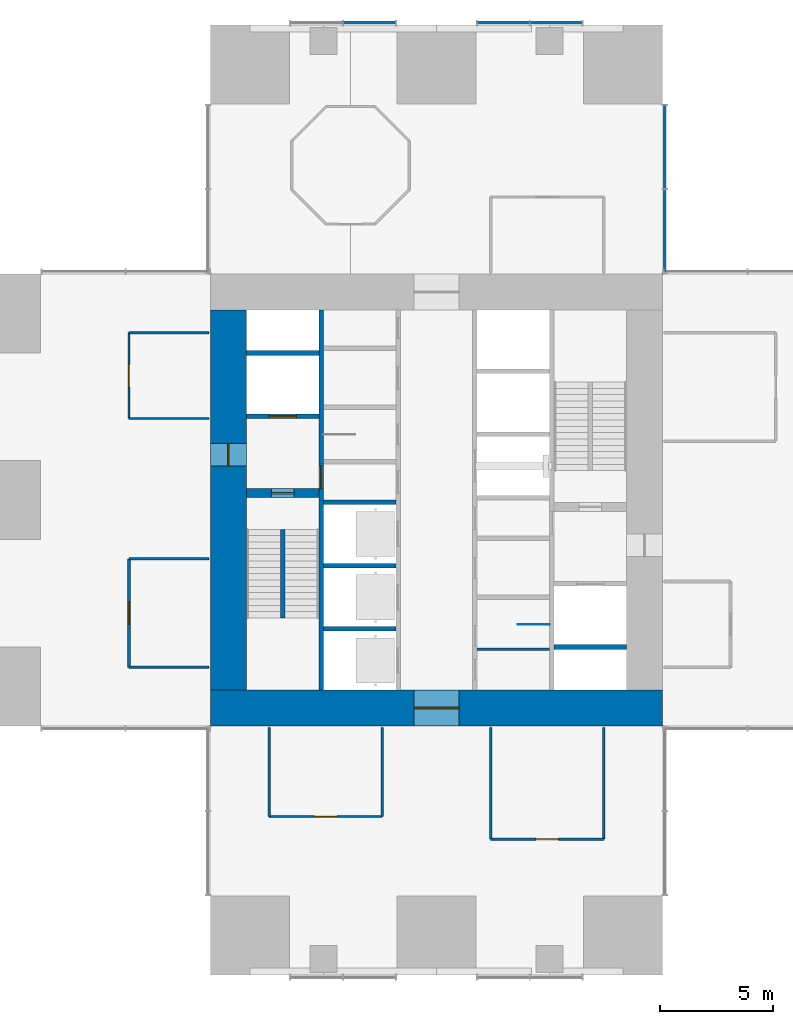
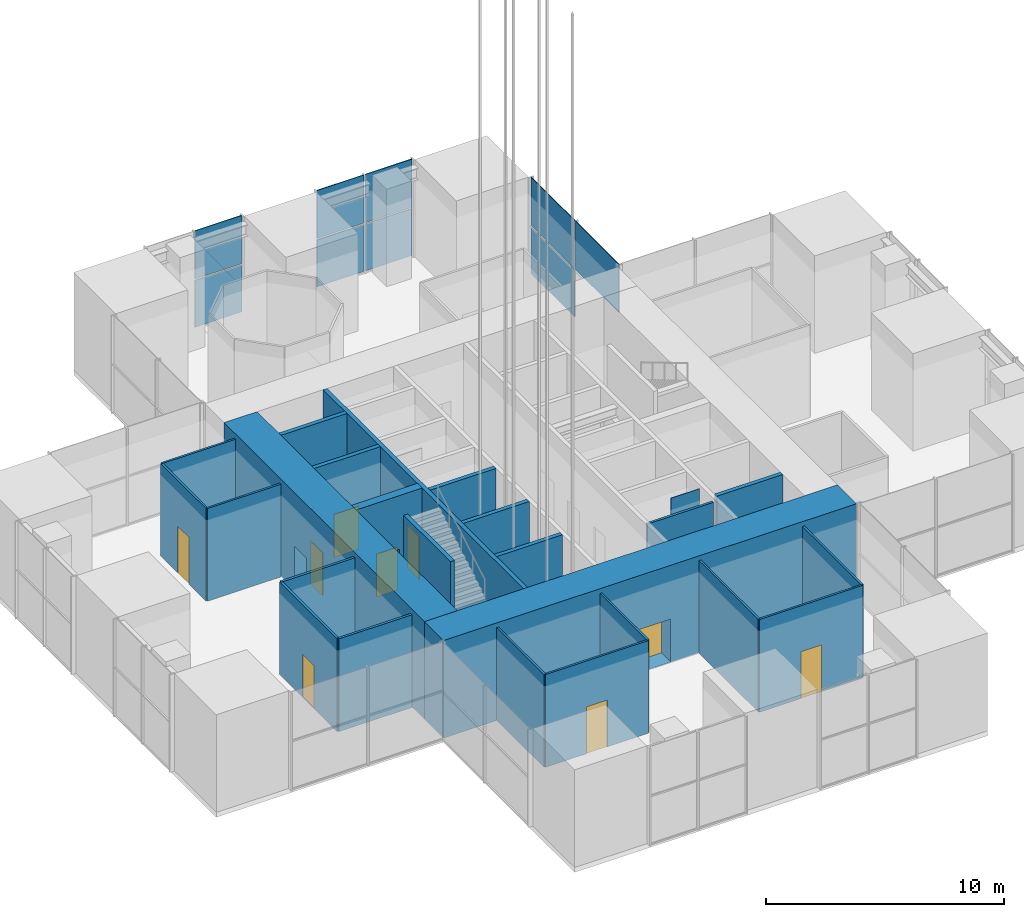
# One storey, part 5 of 16: 25 walls, 9 doors, 9 plates, 9 openings, 3 elements without a shape of their own.
"""IFC4 building model written with IfcOpenShell, lengths in metres."""

from ifc_helpers import new_model, si_unit, direction, frame, frame_2d, origin, origin_2d, place, context, subcontext, project, spatial, rectangle, extrude, material, layer, layer_set, type_object, element, fill, aggregate, save


model = new_model("IFC4")

# Units and contexts
model_context = context("Model", 3, precision=1e-05, world=origin(), true_north=direction((0.0, 1.0)))
body_context = subcontext(model_context, "Body", "Model", "MODEL_VIEW")
ifc_project = project(units=[si_unit("LENGTHUNIT", "METRE"), si_unit("AREAUNIT", "SQUARE_METRE"), si_unit("VOLUMEUNIT", "CUBIC_METRE"), si_unit("PLANEANGLEUNIT", "RADIAN"), si_unit("MASSUNIT", "GRAM", prefix="KILO")], contexts=[model_context])

# Site, building, storey
site_placement = place(None, origin())
site = spatial("IfcSite", under=ifc_project, at=site_placement, CompositionType="ELEMENT")
building_placement = place(site_placement, origin())
building = spatial("IfcBuilding", under=site, at=building_placement, Name="Svetlomir Tower", CompositionType="ELEMENT")
storey_placement = place(building_placement, frame((0.0, 0.0, 91.5)))
storey = spatial("IfcBuildingStorey", under=building, at=storey_placement, Name="L21", CompositionType="ELEMENT", Elevation=91.5)

# Curtain wall, plates
ifc_material_1 = material(Name="Bronze anodised aluminium curtain wall", Category="aluminium")
curtain_wall_type = type_object("IfcCurtainWallType", Name="CURTAIN WALL CW2 SKY LOBBY", PredefinedType="NOTDEFINED", material=ifc_material_1)
curtain_wall_1_placement = place(storey_placement, origin())
curtain_wall_1 = element("IfcCurtainWall", 1, at=curtain_wall_1_placement, inside=storey, type_object=curtain_wall_type, Name="Curtain wall CW2 L21", PredefinedType="NOTDEFINED")
ifc_material_2 = material(Name="Tinted double glazed unit", Category="glass")
ifc_layer_1 = layer(ifc_material_2, 0.035888671875)
ifc_layer_set_1 = layer_set([ifc_layer_1], Name="Tinted double glazed unit")
plate_type = type_object("IfcPlateType", Name="CW2 GLAZED PANEL 36", PredefinedType="CURTAIN_PANEL", material=ifc_layer_set_1)
plate_1_placement = place(storey_placement, frame((31.10009765625, 32.891357421875, 2.53271484375), z_axis=(0.0, 0.0, 1.0), x_axis=(0.0, 1.0, 0.0)))
plate_1 = element("IfcPlate", 2, at=plate_1_placement, type_object=plate_type, Name="CW2 panel 1.2", PredefinedType="CURTAIN_PANEL", context=body_context, shape_type="SweptSolid", body=[
    extrude(rectangle(XDim=3.652587890625, YDim=0.035888671875, at=origin_2d()), origin(), (0.0, 0.0, 1.0), 2.467529296875),
])
plate_2_placement = place(storey_placement, frame((31.10009765625, 36.608642578125, 0.06494140625), z_axis=(0.0, 0.0, 1.0), x_axis=(0.0, 1.0, 0.0)))
plate_2 = element("IfcPlate", 3, at=plate_2_placement, type_object=plate_type, Name="CW2 panel 2.1", PredefinedType="CURTAIN_PANEL", context=body_context, shape_type="SweptSolid", body=[
    extrude(rectangle(XDim=3.652587890625, YDim=0.035888671875, at=origin_2d()), origin(), (0.0, 0.0, 1.0), 2.402587890625),
])
plate_3_placement = place(storey_placement, frame((31.10009765625, 36.608642578125, 2.53271484375), z_axis=(0.0, 0.0, 1.0), x_axis=(0.0, 1.0, 0.0)))
plate_3 = element("IfcPlate", 4, at=plate_3_placement, type_object=plate_type, Name="CW2 panel 2.2", PredefinedType="CURTAIN_PANEL", context=body_context, shape_type="SweptSolid", body=[
    extrude(rectangle(XDim=3.652587890625, YDim=0.035888671875, at=origin_2d()), origin(), (0.0, 0.0, 1.0), 2.467529296875),
])
aggregate(curtain_wall_1, [plate_1, plate_2, plate_3])

curtain_wall_2_placement = place(storey_placement, origin())
curtain_wall_2 = element("IfcCurtainWall", 5, at=curtain_wall_2_placement, inside=storey, type_object=curtain_wall_type, Name="Curtain wall CW2 L21", PredefinedType="NOTDEFINED")
plate_4_placement = place(storey_placement, frame((26.296142578125, 42.10009765625, 0.06494140625), z_axis=(0.0, 0.0, 1.0), x_axis=(-1.0, 0.0, 0.0)))
plate_4 = element("IfcPlate", 6, at=plate_4_placement, type_object=plate_type, Name="CW2 panel 1.1", PredefinedType="CURTAIN_PANEL", context=body_context, shape_type="SweptSolid", body=[
    extrude(rectangle(XDim=2.277587890625, YDim=0.035888671875, at=origin_2d()), origin(), (0.0, 0.0, 1.0), 2.402587890625),
])
plate_5_placement = place(storey_placement, frame((26.296142578125, 42.10009765625, 2.53271484375), z_axis=(0.0, 0.0, 1.0), x_axis=(-1.0, 0.0, 0.0)))
plate_5 = element("IfcPlate", 7, at=plate_5_placement, type_object=plate_type, Name="CW2 panel 1.2", PredefinedType="CURTAIN_PANEL", context=body_context, shape_type="SweptSolid", body=[
    extrude(rectangle(XDim=2.277587890625, YDim=0.035888671875, at=origin_2d()), origin(), (0.0, 0.0, 1.0), 2.467529296875),
])
plate_6_placement = place(storey_placement, frame((23.953857421875, 42.10009765625, 0.06494140625), z_axis=(0.0, 0.0, 1.0), x_axis=(-1.0, 0.0, 0.0)))
plate_6 = element("IfcPlate", 8, at=plate_6_placement, type_object=plate_type, Name="CW2 panel 2.1", PredefinedType="CURTAIN_PANEL", context=body_context, shape_type="SweptSolid", body=[
    extrude(rectangle(XDim=2.277587890625, YDim=0.035888671875, at=origin_2d()), origin(), (0.0, 0.0, 1.0), 2.402587890625),
])
plate_7_placement = place(storey_placement, frame((23.953857421875, 42.10009765625, 2.53271484375), z_axis=(0.0, 0.0, 1.0), x_axis=(-1.0, 0.0, 0.0)))
plate_7 = element("IfcPlate", 9, at=plate_7_placement, type_object=plate_type, Name="CW2 panel 2.2", PredefinedType="CURTAIN_PANEL", context=body_context, shape_type="SweptSolid", body=[
    extrude(rectangle(XDim=2.277587890625, YDim=0.035888671875, at=origin_2d()), origin(), (0.0, 0.0, 1.0), 2.467529296875),
])
aggregate(curtain_wall_2, [plate_4, plate_5, plate_6, plate_7])

curtain_wall_3_placement = place(storey_placement, origin())
curtain_wall_3 = element("IfcCurtainWall", 10, at=curtain_wall_3_placement, inside=storey, type_object=curtain_wall_type, Name="Curtain wall CW2 L21", PredefinedType="NOTDEFINED")
plate_8_placement = place(storey_placement, frame((18.046142578125, 42.10009765625, 0.06494140625), z_axis=(0.0, 0.0, 1.0), x_axis=(-1.0, 0.0, 0.0)))
plate_8 = element("IfcPlate", 11, at=plate_8_placement, type_object=plate_type, Name="CW2 panel 1.1", PredefinedType="CURTAIN_PANEL", context=body_context, shape_type="SweptSolid", body=[
    extrude(rectangle(XDim=2.277587890625, YDim=0.035888671875, at=origin_2d()), origin(), (0.0, 0.0, 1.0), 2.402587890625),
])
plate_9_placement = place(storey_placement, frame((18.046142578125, 42.10009765625, 2.53271484375), z_axis=(0.0, 0.0, 1.0), x_axis=(-1.0, 0.0, 0.0)))
plate_9 = element("IfcPlate", 12, at=plate_9_placement, type_object=plate_type, Name="CW2 panel 1.2", PredefinedType="CURTAIN_PANEL", context=body_context, shape_type="SweptSolid", body=[
    extrude(rectangle(XDim=2.277587890625, YDim=0.035888671875, at=origin_2d()), origin(), (0.0, 0.0, 1.0), 2.467529296875),
])
aggregate(curtain_wall_3, [plate_8, plate_9])

# Wall, opening, door
ifc_material_3 = material(Name="Concrete C60/75", Category="concrete")
ifc_layer_2 = layer(ifc_material_3, 0.199951171875)
ifc_layer_set_2 = layer_set([ifc_layer_2], Name="Concrete C60/75")
wall_type_1 = type_object("IfcWallType", Name="CORE INNER WALL 200", PredefinedType="SHEAR", material=ifc_layer_set_2)
wall_1_placement = place(storey_placement, frame((15.89990234375, 12.60009765625, -0.050048828125), z_axis=(0.0, 0.0, 1.0), x_axis=(0.0, 1.0, 0.0)))
wall_1 = element("IfcWall", 13, at=wall_1_placement, inside=storey, type_object=wall_type_1, Name="Core inner wall 15.9 L21", PredefinedType="SHEAR", context=body_context, shape_type="SweptSolid", body=[
    extrude(rectangle(XDim=16.7998046875, YDim=0.199951171875, at=frame_2d((8.39990234375, 0.0))), origin(), (0.0, 0.0, 1.0), 5.0),
])
opening_1_placement = place(wall_1_placement, frame((8.89990234375, 0.0, 0.050048828125)))
opening_1 = element("IfcOpeningElement", 14, at=opening_1_placement, cuts=wall_1, Name="Opening DF", PredefinedType="OPENING", context=body_context, shape_type="SweptSolid", body=[
    extrude(rectangle(XDim=1.0, YDim=2.199951171875, at=frame_2d((0.5, 1.10009765625))), frame((0.0, 0.10986328125, 0.0), z_axis=(0.0, -1.0, 0.0), x_axis=(1.0, 0.0, 0.0)), (0.0, 0.0, 1.0), 0.219970703125),
])
ifc_material_4 = material(Name="Steel fire door", Category="steel")
door_type_1 = type_object("IfcDoorType", Name="DOOR DF 1000x2200", OperationType="SINGLE_SWING_LEFT", PredefinedType="DOOR", material=ifc_material_4)
door_1_placement = place(opening_1_placement, origin())
door_1 = element("IfcDoor", 15, at=door_1_placement, inside=storey, type_object=door_type_1, Name="Core corridor west door L21", OperationType="SINGLE_SWING_LEFT", OverallHeight=2.199951171875, OverallWidth=1.0, PredefinedType="DOOR", context=body_context, shape_type="SweptSolid", body=[
    extrude(rectangle(XDim=1.0, YDim=2.199951171875, at=frame_2d((0.5, 1.10009765625))), frame((0.0, 0.02490234375, 0.0), z_axis=(0.0, -1.0, 0.0), x_axis=(1.0, 0.0, 0.0)), (0.0, 0.0, 1.0), 0.050048828125),
])
fill(opening_1, door_1)

wall_2_placement = place(storey_placement, frame((12.60009765625, 24.699951171875, -0.050048828125), z_axis=(0.0, 0.0, 1.0), x_axis=(1.0, 0.0, 0.0)))
wall_2 = element("IfcWall", 16, at=wall_2_placement, inside=storey, type_object=wall_type_1, Name="Core inner wall 12.6-15.8/24.7 L21", PredefinedType="SHEAR", context=body_context, shape_type="SweptSolid", body=[
    extrude(rectangle(XDim=3.199951171875, YDim=0.199951171875, at=frame_2d((1.60009765625, 0.0))), origin(), (0.0, 0.0, 1.0), 5.0),
])
opening_2_placement = place(wall_2_placement, frame((1.0, 0.0, 0.050048828125)))
opening_2 = element("IfcOpeningElement", 17, at=opening_2_placement, cuts=wall_2, Name="Opening LD3", PredefinedType="OPENING", context=body_context, shape_type="SweptSolid", body=[
    extrude(rectangle(XDim=1.199951171875, YDim=2.199951171875, at=frame_2d((0.60009765625, 1.10009765625))), frame((0.0, 0.10986328125, 0.0), z_axis=(0.0, -1.0, 0.0), x_axis=(1.0, 0.0, 0.0)), (0.0, 0.0, 1.0), 0.219970703125),
])
ifc_material_5 = material(Name="Stainless steel fire-rated landing door", Category="steel")
door_type_2 = type_object("IfcDoorType", Name="FIREFIGHTING LIFT LANDING DOOR LD3 1200x2200", OperationType="DOUBLE_DOOR_SLIDING", PredefinedType="DOOR", material=ifc_material_5)
door_2_placement = place(opening_2_placement, origin())
door_2 = element("IfcDoor", 18, at=door_2_placement, inside=storey, type_object=door_type_2, Name="Landing door lift FL1 L21", OperationType="DOUBLE_DOOR_SLIDING", OverallHeight=2.199951171875, OverallWidth=1.199951171875, PredefinedType="DOOR", context=body_context, shape_type="SweptSolid", body=[
    extrude(rectangle(XDim=1.199951171875, YDim=2.199951171875, at=frame_2d((0.60009765625, 1.10009765625))), frame((0.0, 0.02490234375, 0.0), z_axis=(0.0, -1.0, 0.0), x_axis=(1.0, 0.0, 0.0)), (0.0, 0.0, 1.0), 0.050048828125),
])
fill(opening_2, door_2)

# Walls
for number, where, z_axis, x_axis, name in (
    (19, (12.60009765625, 27.5, -0.050048828125), (0.0, 0.0, 1.0), (1.0, 0.0, 0.0), "Core inner wall 12.6-15.8/27.5 L21"),
    (20, (16.0, 15.300048828125, -0.050048828125), (0.0, 0.0, 1.0), (1.0, 0.0, 0.0), "Core inner wall 16-19.2/15.3 L21"),
    (21, (16.0, 18.10009765625, -0.050048828125), (0.0, 0.0, 1.0), (1.0, 0.0, 0.0), "Core inner wall 16-19.2/18.1 L21"),
    (22, (16.0, 20.89990234375, -0.050048828125), (0.0, 0.0, 1.0), (1.0, 0.0, 0.0), "Core inner wall 16-19.2/20.9 L21"),
    (23, (26.199951171875, 14.5, -0.050048828125), (0.0, 0.0, 1.0), (1.0, 0.0, 0.0), "Core inner wall 26.2-29.4/14.5 L21"),
):
    element("IfcWall", number, at=place(storey_placement, frame(where, z_axis=z_axis, x_axis=x_axis)), inside=storey, type_object=wall_type_1, Name=name, PredefinedType="SHEAR", context=body_context, shape_type="SweptSolid", body=[
        extrude(rectangle(XDim=3.199951171875, YDim=0.199951171875, at=frame_2d((1.60009765625, 0.0))), origin(), (0.0, 0.0, 1.0), 5.0),
    ])

# Wall, opening, door
ifc_material_6 = material(Name="Concrete C60/75", Category="concrete")
ifc_layer_3 = layer(ifc_material_6, 0.39990234375)
ifc_layer_set_3 = layer_set([ifc_layer_3], Name="Concrete C60/75")
wall_type_2 = type_object("IfcWallType", Name="CORE OUTRIGGER WALL 400", PredefinedType="SHEAR", material=ifc_layer_set_3)
wall_3_placement = place(storey_placement, frame((12.60009765625, 21.300048828125, -0.050048828125), z_axis=(0.0, 0.0, 1.0), x_axis=(1.0, 0.0, 0.0)))
wall_3 = element("IfcWall", 24, at=wall_3_placement, inside=storey, type_object=wall_type_2, Name="Core outrigger wall 12.6-15.8/21.3 L21", PredefinedType="SHEAR", context=body_context, shape_type="SweptSolid", body=[
    extrude(rectangle(XDim=3.199951171875, YDim=0.39990234375, at=frame_2d((1.60009765625, 0.0))), origin(), (0.0, 0.0, 1.0), 5.0),
])
opening_3_placement = place(wall_3_placement, frame((1.10009765625, 0.0, 0.050048828125)))
opening_3 = element("IfcOpeningElement", 25, at=opening_3_placement, cuts=wall_3, Name="Opening DF", PredefinedType="OPENING", context=body_context, shape_type="SweptSolid", body=[
    extrude(rectangle(XDim=1.0, YDim=2.199951171875, at=frame_2d((0.5, 1.10009765625))), frame((0.0, 0.2099609375, 0.0), z_axis=(0.0, -1.0, 0.0), x_axis=(1.0, 0.0, 0.0)), (0.0, 0.0, 1.0), 0.419921875),
])
door_3_placement = place(opening_3_placement, origin())
door_3 = element("IfcDoor", 26, at=door_3_placement, inside=storey, type_object=door_type_1, Name="Stair S1 door L21", OperationType="SINGLE_SWING_RIGHT", OverallHeight=2.199951171875, OverallWidth=1.0, PredefinedType="DOOR", context=body_context, shape_type="SweptSolid", body=[
    extrude(rectangle(XDim=1.0, YDim=2.199951171875, at=frame_2d((0.5, 1.10009765625))), frame((0.0, 0.02490234375, 0.0), z_axis=(0.0, -1.0, 0.0), x_axis=(1.0, 0.0, 0.0)), (0.0, 0.0, 1.0), 0.050048828125),
])
fill(opening_3, door_3)

ifc_material_7 = material(Name="Concrete C60/75", Category="concrete")
ifc_layer_4 = layer(ifc_material_7, 1.60009765625)
ifc_layer_set_4 = layer_set([ifc_layer_4], Name="Concrete C60/75")
wall_type_3 = type_object("IfcWallType", Name="CORE WALL 1600", PredefinedType="SHEAR", material=ifc_layer_set_4)
wall_4_placement = place(storey_placement, frame((11.0, 11.800048828125, -0.050048828125), z_axis=(0.0, 0.0, 1.0), x_axis=(1.0, 0.0, 0.0)))
wall_4 = element("IfcWall", 27, at=wall_4_placement, inside=storey, type_object=wall_type_3, Name="Core wall south L21", PredefinedType="SHEAR", context=body_context, shape_type="SweptSolid", body=[
    extrude(rectangle(XDim=20.0, YDim=1.60009765625, at=frame_2d((10.0, 0.0))), origin(), (0.0, 0.0, 1.0), 5.0),
])
opening_4_placement = place(wall_4_placement, frame((9.0, 0.0, 0.050048828125)))
opening_4 = element("IfcOpeningElement", 28, at=opening_4_placement, cuts=wall_4, Name="Opening DL", PredefinedType="OPENING", context=body_context, shape_type="SweptSolid", body=[
    extrude(rectangle(XDim=2.0, YDim=2.199951171875, at=frame_2d((1.0, 1.10009765625))), frame((0.0, 0.81005859375, 0.0), z_axis=(0.0, -1.0, 0.0), x_axis=(1.0, 0.0, 0.0)), (0.0, 0.0, 1.0), 1.6201171875),
])
ifc_material_8 = material(Name="Steel fire door", Category="steel")
door_type_3 = type_object("IfcDoorType", Name="DOOR DL 2000x2200", OperationType="DOUBLE_DOOR_SINGLE_SWING", PredefinedType="DOOR", material=ifc_material_8)
door_4_placement = place(opening_4_placement, origin())
door_4 = element("IfcDoor", 29, at=door_4_placement, inside=storey, type_object=door_type_3, Name="Lift lobby south door L21", OperationType="DOUBLE_DOOR_SINGLE_SWING", OverallHeight=2.199951171875, OverallWidth=2.0, PredefinedType="DOOR", context=body_context, shape_type="SweptSolid", body=[
    extrude(rectangle(XDim=2.0, YDim=2.199951171875, at=frame_2d((1.0, 1.10009765625))), frame((0.0, 0.02490234375, 0.0), z_axis=(0.0, -1.0, 0.0), x_axis=(1.0, 0.0, 0.0)), (0.0, 0.0, 1.0), 0.050048828125),
])
fill(opening_4, door_4)

wall_5_placement = place(storey_placement, frame((11.800048828125, 12.60009765625, -0.050048828125), z_axis=(0.0, 0.0, 1.0), x_axis=(0.0, 1.0, 0.0)))
wall_5 = element("IfcWall", 30, at=wall_5_placement, inside=storey, type_object=wall_type_3, Name="Core wall west L21", PredefinedType="SHEAR", context=body_context, shape_type="SweptSolid", body=[
    extrude(rectangle(XDim=16.7998046875, YDim=1.60009765625, at=frame_2d((8.39990234375, 0.0))), origin(), (0.0, 0.0, 1.0), 5.0),
])
opening_5_placement = place(wall_5_placement, frame((9.89990234375, 0.0, 0.050048828125)))
opening_5 = element("IfcOpeningElement", 31, at=opening_5_placement, cuts=wall_5, Name="Opening DF", PredefinedType="OPENING", context=body_context, shape_type="SweptSolid", body=[
    extrude(rectangle(XDim=1.0, YDim=2.199951171875, at=frame_2d((0.5, 1.10009765625))), frame((0.0, 0.81005859375, 0.0), z_axis=(0.0, -1.0, 0.0), x_axis=(1.0, 0.0, 0.0)), (0.0, 0.0, 1.0), 1.6201171875),
])
door_5_placement = place(opening_5_placement, origin())
door_5 = element("IfcDoor", 32, at=door_5_placement, inside=storey, type_object=door_type_1, Name="Firefighting lobby west door L21", OperationType="SINGLE_SWING_LEFT", OverallHeight=2.199951171875, OverallWidth=1.0, PredefinedType="DOOR", context=body_context, shape_type="SweptSolid", body=[
    extrude(rectangle(XDim=1.0, YDim=2.199951171875, at=frame_2d((0.5, 1.10009765625))), frame((0.0, 0.02490234375, 0.0), z_axis=(0.0, -1.0, 0.0), x_axis=(1.0, 0.0, 0.0)), (0.0, 0.0, 1.0), 0.050048828125),
])
fill(opening_5, door_5)

ifc_material_9 = material(Name="Framed laminated glass partition", Category="glass")
ifc_layer_5 = layer(ifc_material_9, 0.10009765625)
ifc_layer_set_5 = layer_set([ifc_layer_5], Name="Framed laminated glass partition")
wall_type_4 = type_object("IfcWallType", Name="GLAZED PARTITION 100", PredefinedType="PARTITIONING", material=ifc_layer_set_5)
wall_6_placement = place(storey_placement, frame((7.39990234375, 24.60009765625, 0.0), z_axis=(0.0, 0.0, 1.0), x_axis=(0.0, 1.0, 0.0)))
wall_6 = element("IfcWall", 33, at=wall_6_placement, inside=storey, type_object=wall_type_4, Name="Glazed partition L21", PredefinedType="PARTITIONING", context=body_context, shape_type="SweptSolid", body=[
    extrude(rectangle(XDim=3.7998046875, YDim=0.10009765625, at=frame_2d((1.89990234375, 0.0))), origin(), (0.0, 0.0, 1.0), 4.75),
])
opening_6_placement = place(wall_6_placement, frame((1.39990234375, 0.0, 0.0)))
opening_6 = element("IfcOpeningElement", 34, at=opening_6_placement, cuts=wall_6, Name="Opening DG", PredefinedType="OPENING", context=body_context, shape_type="SweptSolid", body=[
    extrude(rectangle(XDim=1.0, YDim=2.39990234375, at=frame_2d((0.5, 1.199951171875))), frame((0.0, 0.06005859375, 0.0), z_axis=(0.0, -1.0, 0.0), x_axis=(1.0, 0.0, 0.0)), (0.0, 0.0, 1.0), 0.1201171875),
])
ifc_material_10 = material(Name="Framed laminated glass door", Category="glass")
door_type_4 = type_object("IfcDoorType", Name="GLAZED DOOR DG 1000x2400", OperationType="SINGLE_SWING_LEFT", PredefinedType="DOOR", material=ifc_material_10)
door_6_placement = place(opening_6_placement, origin())
door_6 = element("IfcDoor", 35, at=door_6_placement, inside=storey, type_object=door_type_4, Name="Hospitality pantry door L21", OperationType="SINGLE_SWING_RIGHT", OverallHeight=2.39990234375, OverallWidth=1.0, PredefinedType="DOOR", context=body_context, shape_type="SweptSolid", body=[
    extrude(rectangle(XDim=1.0, YDim=2.39990234375, at=frame_2d((0.5, 1.199951171875))), frame((0.0, 0.02490234375, 0.0), z_axis=(0.0, -1.0, 0.0), x_axis=(1.0, 0.0, 0.0)), (0.0, 0.0, 1.0), 0.050048828125),
])
fill(opening_6, door_6)

# Walls
for number, where, z_axis, x_axis, name in (
    (36, (7.39990234375, 24.60009765625, 0.0), (0.0, 0.0, 1.0), (1.0, 0.0, 0.0), "Glazed partition L21"),
    (37, (7.39990234375, 28.39990234375, 0.0), (0.0, 0.0, 1.0), (1.0, 0.0, 0.0), "Glazed partition L21"),
):
    element("IfcWall", number, at=place(storey_placement, frame(where, z_axis=z_axis, x_axis=x_axis)), inside=storey, type_object=wall_type_4, Name=name, PredefinedType="PARTITIONING", context=body_context, shape_type="SweptSolid", body=[
        extrude(rectangle(XDim=3.550048828125, YDim=0.10009765625, at=frame_2d((1.77490234375, 0.0))), origin(), (0.0, 0.0, 1.0), 4.75),
    ])
wall_7_placement = place(storey_placement, frame((13.60009765625, 7.0, 0.0), z_axis=(0.0, 0.0, 1.0), x_axis=(0.0, 1.0, 0.0)))
element("IfcWall", 38, at=wall_7_placement, inside=storey, type_object=wall_type_4, Name="Glazed partition L21", PredefinedType="PARTITIONING", context=body_context, shape_type="SweptSolid", body=[
    extrude(rectangle(XDim=3.949951171875, YDim=0.10009765625, at=frame_2d((1.97509765625, 0.0))), origin(), (0.0, 0.0, 1.0), 4.75),
])

# Wall, opening, door
wall_8_placement = place(storey_placement, frame((13.60009765625, 7.0, 0.0), z_axis=(0.0, 0.0, 1.0), x_axis=(1.0, 0.0, 0.0)))
wall_8 = element("IfcWall", 39, at=wall_8_placement, inside=storey, type_object=wall_type_4, Name="Glazed partition L21", PredefinedType="PARTITIONING", context=body_context, shape_type="SweptSolid", body=[
    extrude(rectangle(XDim=5.0, YDim=0.10009765625, at=frame_2d((2.5, 0.0))), origin(), (0.0, 0.0, 1.0), 4.75),
])
opening_7_placement = place(wall_8_placement, frame((2.0, 0.0, 0.0)))
opening_7 = element("IfcOpeningElement", 40, at=opening_7_placement, cuts=wall_8, Name="Opening DG", PredefinedType="OPENING", context=body_context, shape_type="SweptSolid", body=[
    extrude(rectangle(XDim=1.0, YDim=2.39990234375, at=frame_2d((0.5, 1.199951171875))), frame((0.0, 0.06005859375, 0.0), z_axis=(0.0, -1.0, 0.0), x_axis=(1.0, 0.0, 0.0)), (0.0, 0.0, 1.0), 0.1201171875),
])
door_7_placement = place(opening_7_placement, origin())
door_7 = element("IfcDoor", 41, at=door_7_placement, inside=storey, type_object=door_type_4, Name="Client meeting room, 8 seats door L21", OperationType="SINGLE_SWING_LEFT", OverallHeight=2.39990234375, OverallWidth=1.0, PredefinedType="DOOR", context=body_context, shape_type="SweptSolid", body=[
    extrude(rectangle(XDim=1.0, YDim=2.39990234375, at=frame_2d((0.5, 1.199951171875))), frame((0.0, 0.02490234375, 0.0), z_axis=(0.0, -1.0, 0.0), x_axis=(1.0, 0.0, 0.0)), (0.0, 0.0, 1.0), 0.050048828125),
])
fill(opening_7, door_7)

# Walls
wall_9_placement = place(storey_placement, frame((18.60009765625, 7.0, 0.0), z_axis=(0.0, 0.0, 1.0), x_axis=(0.0, 1.0, 0.0)))
element("IfcWall", 42, at=wall_9_placement, inside=storey, type_object=wall_type_4, Name="Glazed partition L21", PredefinedType="PARTITIONING", context=body_context, shape_type="SweptSolid", body=[
    extrude(rectangle(XDim=3.949951171875, YDim=0.10009765625, at=frame_2d((1.97509765625, 0.0))), origin(), (0.0, 0.0, 1.0), 4.75),
])
wall_10_placement = place(storey_placement, frame((23.39990234375, 6.0, 0.0), z_axis=(0.0, 0.0, 1.0), x_axis=(0.0, 1.0, 0.0)))
element("IfcWall", 43, at=wall_10_placement, inside=storey, type_object=wall_type_4, Name="Glazed partition L21", PredefinedType="PARTITIONING", context=body_context, shape_type="SweptSolid", body=[
    extrude(rectangle(XDim=4.949951171875, YDim=0.10009765625, at=frame_2d((2.47509765625, 0.0))), origin(), (0.0, 0.0, 1.0), 4.75),
])

# Wall, opening, door
wall_11_placement = place(storey_placement, frame((23.39990234375, 6.0, 0.0), z_axis=(0.0, 0.0, 1.0), x_axis=(1.0, 0.0, 0.0)))
wall_11 = element("IfcWall", 44, at=wall_11_placement, inside=storey, type_object=wall_type_4, Name="Glazed partition L21", PredefinedType="PARTITIONING", context=body_context, shape_type="SweptSolid", body=[
    extrude(rectangle(XDim=5.0, YDim=0.10009765625, at=frame_2d((2.5, 0.0))), origin(), (0.0, 0.0, 1.0), 4.75),
])
opening_8_placement = place(wall_11_placement, frame((2.0, 0.0, 0.0)))
opening_8 = element("IfcOpeningElement", 45, at=opening_8_placement, cuts=wall_11, Name="Opening DG", PredefinedType="OPENING", context=body_context, shape_type="SweptSolid", body=[
    extrude(rectangle(XDim=1.0, YDim=2.39990234375, at=frame_2d((0.5, 1.199951171875))), frame((0.0, 0.06005859375, 0.0), z_axis=(0.0, -1.0, 0.0), x_axis=(1.0, 0.0, 0.0)), (0.0, 0.0, 1.0), 0.1201171875),
])
door_8_placement = place(opening_8_placement, origin())
door_8 = element("IfcDoor", 46, at=door_8_placement, inside=storey, type_object=door_type_4, Name="Client meeting room, 12 seats door L21", OperationType="SINGLE_SWING_RIGHT", OverallHeight=2.39990234375, OverallWidth=1.0, PredefinedType="DOOR", context=body_context, shape_type="SweptSolid", body=[
    extrude(rectangle(XDim=1.0, YDim=2.39990234375, at=frame_2d((0.5, 1.199951171875))), frame((0.0, 0.02490234375, 0.0), z_axis=(0.0, -1.0, 0.0), x_axis=(1.0, 0.0, 0.0)), (0.0, 0.0, 1.0), 0.050048828125),
])
fill(opening_8, door_8)

# Walls
wall_12_placement = place(storey_placement, frame((28.39990234375, 6.0, 0.0), z_axis=(0.0, 0.0, 1.0), x_axis=(0.0, 1.0, 0.0)))
element("IfcWall", 47, at=wall_12_placement, inside=storey, type_object=wall_type_4, Name="Glazed partition L21", PredefinedType="PARTITIONING", context=body_context, shape_type="SweptSolid", body=[
    extrude(rectangle(XDim=4.949951171875, YDim=0.10009765625, at=frame_2d((2.47509765625, 0.0))), origin(), (0.0, 0.0, 1.0), 4.75),
])
ifc_material_11 = material(Name="Gypsum board on steel studs", Category="steel")
ifc_layer_6 = layer(ifc_material_11, 0.1201171875)
ifc_layer_set_6 = layer_set([ifc_layer_6], Name="Gypsum board on steel studs")
wall_type_5 = type_object("IfcWallType", Name="PARTITION 120", PredefinedType="PARTITIONING", material=ifc_layer_set_6)
wall_13_placement = place(storey_placement, frame((22.800048828125, 14.39990234375, 0.0), z_axis=(0.0, 0.0, 1.0), x_axis=(1.0, 0.0, 0.0)))
element("IfcWall", 48, at=wall_13_placement, inside=storey, type_object=wall_type_5, Name="Floor store partition L21", PredefinedType="PARTITIONING", context=body_context, shape_type="SweptSolid", body=[
    extrude(rectangle(XDim=3.199951171875, YDim=0.1201171875, at=frame_2d((1.60009765625, 0.0))), origin(), (0.0, 0.0, 1.0), 4.75),
])

# Wall, opening, door
wall_14_placement = place(storey_placement, frame((7.39990234375, 13.60009765625, 0.0), z_axis=(0.0, 0.0, 1.0), x_axis=(0.0, 1.0, 0.0)))
wall_14 = element("IfcWall", 49, at=wall_14_placement, inside=storey, type_object=wall_type_5, Name="Partition L21", PredefinedType="PARTITIONING", context=body_context, shape_type="SweptSolid", body=[
    extrude(rectangle(XDim=4.7998046875, YDim=0.1201171875, at=frame_2d((2.39990234375, 0.0))), origin(), (0.0, 0.0, 1.0), 4.75),
])
opening_9_placement = place(wall_14_placement, frame((1.89990234375, 0.0, 0.0)))
opening_9 = element("IfcOpeningElement", 50, at=opening_9_placement, cuts=wall_14, Name="Opening DR", PredefinedType="OPENING", context=body_context, shape_type="SweptSolid", body=[
    extrude(rectangle(XDim=1.0, YDim=2.199951171875, at=frame_2d((0.5, 1.10009765625))), frame((0.0, 0.070068359375, 0.0), z_axis=(0.0, -1.0, 0.0), x_axis=(1.0, 0.0, 0.0)), (0.0, 0.0, 1.0), 0.14013671875),
])
ifc_material_12 = material(Name="Timber door, glazed side light", Category="wood")
door_type_5 = type_object("IfcDoorType", Name="DOOR DR 1000x2200", OperationType="SINGLE_SWING_LEFT", PredefinedType="DOOR", material=ifc_material_12)
door_9_placement = place(opening_9_placement, origin())
door_9 = element("IfcDoor", 51, at=door_9_placement, inside=storey, type_object=door_type_5, Name="Visitor security office door L21", OperationType="SINGLE_SWING_LEFT", OverallHeight=2.199951171875, OverallWidth=1.0, PredefinedType="DOOR", context=body_context, shape_type="SweptSolid", body=[
    extrude(rectangle(XDim=1.0, YDim=2.199951171875, at=frame_2d((0.5, 1.10009765625))), frame((0.0, 0.02490234375, 0.0), z_axis=(0.0, -1.0, 0.0), x_axis=(1.0, 0.0, 0.0)), (0.0, 0.0, 1.0), 0.050048828125),
])
fill(opening_9, door_9)

# Walls
for number, where, z_axis, x_axis, name in (
    (52, (7.39990234375, 13.60009765625, 0.0), (0.0, 0.0, 1.0), (1.0, 0.0, 0.0), "Partition L21"),
    (53, (7.39990234375, 18.39990234375, 0.0), (0.0, 0.0, 1.0), (1.0, 0.0, 0.0), "Partition L21"),
):
    element("IfcWall", number, at=place(storey_placement, frame(where, z_axis=z_axis, x_axis=x_axis)), inside=storey, type_object=wall_type_5, Name=name, PredefinedType="PARTITIONING", context=body_context, shape_type="SweptSolid", body=[
        extrude(rectangle(XDim=3.550048828125, YDim=0.1201171875, at=frame_2d((1.77490234375, 0.0))), origin(), (0.0, 0.0, 1.0), 4.75),
    ])
ifc_material_13 = material(Name="Concrete C60/75", Category="concrete")
ifc_layer_7 = layer(ifc_material_13, 0.199951171875)
ifc_layer_set_7 = layer_set([ifc_layer_7], Name="Concrete C60/75")
wall_type_6 = type_object("IfcWallType", Name="STAIR SPINE WALL 200", PredefinedType="PARTITIONING", material=ifc_layer_set_7)
wall_15_placement = place(storey_placement, frame((14.199951171875, 15.780029296875, 0.0), z_axis=(0.0, 0.0, 1.0), x_axis=(0.0, 1.0, 0.0)))
element("IfcWall", 54, at=wall_15_placement, inside=storey, type_object=wall_type_6, Name="Stair S1 spine wall L21", PredefinedType="PARTITIONING", context=body_context, shape_type="SweptSolid", body=[
    extrude(rectangle(XDim=3.919921875, YDim=0.199951171875, at=frame_2d((1.9599609375, 0.0))), origin(), (0.0, 0.0, 1.0), 5.0),
])
ifc_material_14 = material(Name="Compact laminate panel", Category="plastic")
ifc_layer_8 = layer(ifc_material_14, 0.030029296875)
ifc_layer_set_8 = layer_set([ifc_layer_8], Name="Compact laminate panel")
wall_type_7 = type_object("IfcWallType", Name="WC CUBICLE PARTITION 30", PredefinedType="PARTITIONING", material=ifc_layer_set_8)
wall_16_placement = place(storey_placement, frame((24.60009765625, 15.5, 0.0), z_axis=(0.0, 0.0, 1.0), x_axis=(1.0, 0.0, 0.0)))
element("IfcWall", 55, at=wall_16_placement, inside=storey, type_object=wall_type_7, Name="WC cubicle partition L21", PredefinedType="PARTITIONING", context=body_context, shape_type="SweptSolid", body=[
    extrude(rectangle(XDim=1.39990234375, YDim=0.030029296875, at=frame_2d((0.699951171875, 0.0))), origin(), (0.0, 0.0, 1.0), 4.75),
])

save(model, "model.ifc")
